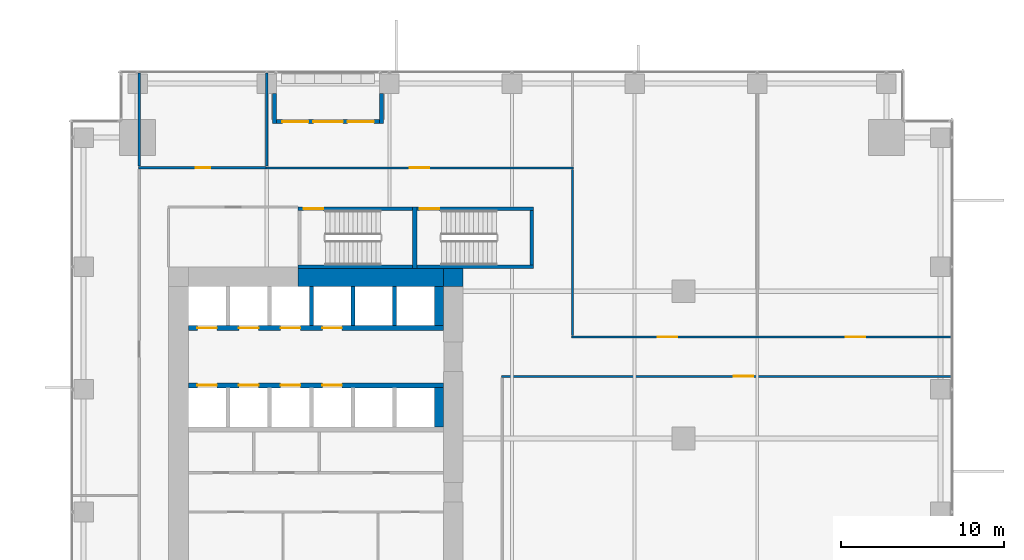
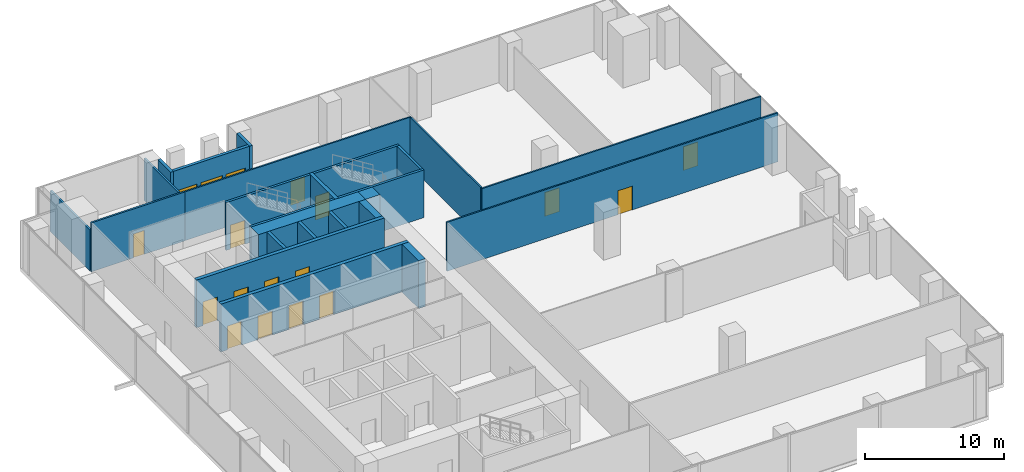
# One storey, part 29 of 33: 25 walls, 16 doors, 2 windows, 18 openings.
"""IFC4 building model written with IfcOpenShell, lengths in metres."""

from ifc_helpers import new_model, si_unit, direction, frame, frame_2d, origin, place, context, subcontext, project, spatial, rectangle, extrude, source, transform, mapped, material, layer, layer_set, type_object, element, fill, save


model = new_model("IFC4")

# Units and contexts
model_context = context("Model", 3, precision=1e-05, world=origin(), true_north=direction((0.0, 1.0)))
body_context = subcontext(model_context, "Body", "Model", "MODEL_VIEW")
ifc_project = project(units=[si_unit("LENGTHUNIT", "METRE"), si_unit("AREAUNIT", "SQUARE_METRE"), si_unit("VOLUMEUNIT", "CUBIC_METRE"), si_unit("PLANEANGLEUNIT", "RADIAN"), si_unit("MASSUNIT", "GRAM", prefix="KILO")], contexts=[model_context])

# Site, building, storey
site_placement = place(None, origin())
site = spatial("IfcSite", under=ifc_project, at=site_placement, CompositionType="ELEMENT")
building_placement = place(site_placement, origin())
building = spatial("IfcBuilding", under=site, at=building_placement, Name="Khomas Fold Tower", CompositionType="ELEMENT")
storey_placement = place(building_placement, frame((0.0, 0.0, 82.5)))
storey = spatial("IfcBuildingStorey", under=building, at=storey_placement, Name="L17", CompositionType="ELEMENT", Elevation=82.5)

# Walls
ifc_material_1 = material(Name="Concrete C70/85", Category="concrete")
ifc_layer_1 = layer(ifc_material_1, 1.10009765625)
ifc_layer_set_1 = layer_set([ifc_layer_1], Name="Concrete C70/85")
wall_type_1 = type_object("IfcWallType", Name="Core wall 1100", PredefinedType="SHEAR", material=ifc_layer_set_1)
shared_shape_1 = source(origin(), body_context, "Body", "SweptSolid", [
    extrude(rectangle(XDim=8.900146484375, YDim=1.10009765625, at=frame_2d((4.4501953125, 0.0))), origin(), (0.0, 0.0, 1.0), 4.199951171875),
])
wall_1_placement = place(storey_placement, frame((13.89990234375, 41.35009765625, 0.0), z_axis=(0.0, 0.0, 1.0), x_axis=(1.0, 0.0, 0.0)))
element("IfcWall", 1, at=wall_1_placement, inside=storey, type_object=wall_type_1, Name="Core wall CW-L-N-B2-1", PredefinedType="SHEAR", context=body_context, shape_type="MappedRepresentation", body=[
    mapped(shared_shape_1, transform((0.0, 0.0, 0.0))),
])
ifc_material_2 = material(Name="Concrete C70/85", Category="concrete")
ifc_layer_2 = layer(ifc_material_2, 1.10009765625)
ifc_layer_set_2 = layer_set([ifc_layer_2], Name="Concrete C70/85")
wall_type_2 = type_object("IfcWallType", Name="Core corner wall 1100", PredefinedType="SHEAR", material=ifc_layer_set_2)
shared_shape_2 = source(origin(), body_context, "Body", "SweptSolid", [
    extrude(rectangle(XDim=1.199951171875, YDim=1.10009765625, at=frame_2d((0.60009765625, 0.0))), origin(), (0.0, 0.0, 1.0), 4.199951171875),
])
wall_2_placement = place(storey_placement, frame((22.800048828125, 41.35009765625, 0.0), z_axis=(0.0, 0.0, 1.0), x_axis=(1.0, 0.0, 0.0)))
element("IfcWall", 2, at=wall_2_placement, inside=storey, type_object=wall_type_2, Name="Core wall CW-L-NE-B2", PredefinedType="SHEAR", context=body_context, shape_type="MappedRepresentation", body=[
    mapped(shared_shape_2, transform((0.0, 0.0, 0.0))),
])

# Wall, opening, door
ifc_material_3 = material(Name="Concrete C50/60", Category="concrete")
ifc_layer_3 = layer(ifc_material_3, 0.199951171875)
ifc_layer_set_3 = layer_set([ifc_layer_3], Name="Concrete C50/60")
wall_type_3 = type_object("IfcWallType", Name="Stair wall 200", PredefinedType="SHEAR", material=ifc_layer_set_3)
shared_shape_3 = source(origin(), body_context, "Body", "SweptSolid", [
    extrude(rectangle(XDim=7.0, YDim=0.199951171875, at=frame_2d((3.5, 0.0))), origin(), (0.0, 0.0, 1.0), 4.199951171875),
])
wall_3_placement = place(storey_placement, frame((13.89990234375, 45.550048828125, 0.0), z_axis=(0.0, 0.0, 1.0), x_axis=(1.0, 0.0, 0.0)))
wall_3 = element("IfcWall", 3, at=wall_3_placement, inside=storey, type_object=wall_type_3, Name="Stair wall SW-ST1-N", PredefinedType="SHEAR", context=body_context, shape_type="MappedRepresentation", body=[
    mapped(shared_shape_3, transform((0.0, 0.0, 0.0))),
])
shared_shape_4 = source(origin(), body_context, "Body", "SweptSolid", [
    extrude(rectangle(XDim=1.199951171875, YDim=2.10009765625, at=frame_2d((0.60009765625, 1.050048828125))), frame((0.0, 0.10986328125, 0.0), z_axis=(0.0, -1.0, 0.0), x_axis=(1.0, 0.0, 0.0)), (0.0, 0.0, 1.0), 0.219970703125),
])
opening_1_placement = place(wall_3_placement, frame((0.35009765625, 0.0, 0.0)))
opening_1 = element("IfcOpeningElement", 4, at=opening_1_placement, cuts=wall_3, Name="Opening SD-ST1", PredefinedType="OPENING", context=body_context, shape_type="MappedRepresentation", body=[
    mapped(shared_shape_4, transform((0.0, 0.0, 0.0))),
])
ifc_material_4 = material(Name="Steel door leaf", Category="steel")
door_type_1 = type_object("IfcDoorType", Name="Stair door 1200x2100 left-hand", OperationType="SINGLE_SWING_LEFT", PredefinedType="DOOR", material=ifc_material_4)
shared_shape_5 = source(origin(), body_context, "Body", "SweptSolid", [
    extrude(rectangle(XDim=1.199951171875, YDim=2.10009765625, at=frame_2d((0.60009765625, 1.050048828125))), frame((0.0, 0.02490234375, 0.0), z_axis=(0.0, -1.0, 0.0), x_axis=(1.0, 0.0, 0.0)), (0.0, 0.0, 1.0), 0.050048828125),
])
door_1_placement = place(opening_1_placement, origin())
door_1 = element("IfcDoor", 5, at=door_1_placement, inside=storey, type_object=door_type_1, Name="Stair door", OperationType="SINGLE_SWING_LEFT", OverallHeight=2.10009765625, OverallWidth=1.199951171875, PredefinedType="DOOR", context=body_context, shape_type="MappedRepresentation", body=[
    mapped(shared_shape_5, transform((0.0, 0.0, 0.0))),
])
fill(opening_1, door_1)

# Wall
wall_4_placement = place(storey_placement, frame((13.89990234375, 42.0, 0.0), z_axis=(0.0, 0.0, 1.0), x_axis=(1.0, 0.0, 0.0)))
element("IfcWall", 6, at=wall_4_placement, inside=storey, type_object=wall_type_3, Name="Stair wall SW-ST1-S", PredefinedType="SHEAR", context=body_context, shape_type="MappedRepresentation", body=[
    mapped(shared_shape_3, transform((0.0, 0.0, 0.0))),
])

# Wall, opening, door
shared_shape_6 = source(origin(), body_context, "Body", "SweptSolid", [
    extrude(rectangle(XDim=7.10009765625, YDim=0.199951171875, at=frame_2d((3.550048828125, 0.0))), origin(), (0.0, 0.0, 1.0), 4.199951171875),
])
wall_5_placement = place(storey_placement, frame((21.199951171875, 45.550048828125, 0.0), z_axis=(0.0, 0.0, 1.0), x_axis=(1.0, 0.0, 0.0)))
wall_5 = element("IfcWall", 7, at=wall_5_placement, inside=storey, type_object=wall_type_3, Name="Stair wall SW-ST3-N", PredefinedType="SHEAR", context=body_context, shape_type="MappedRepresentation", body=[
    mapped(shared_shape_6, transform((0.0, 0.0, 0.0))),
])
opening_2_placement = place(wall_5_placement, frame((0.14990234375, 0.0, 0.0)))
opening_2 = element("IfcOpeningElement", 8, at=opening_2_placement, cuts=wall_5, Name="Opening SD-ST3", PredefinedType="OPENING", context=body_context, shape_type="MappedRepresentation", body=[
    mapped(shared_shape_4, transform((0.0, 0.0, 0.0))),
])
door_2_placement = place(opening_2_placement, origin())
door_2 = element("IfcDoor", 9, at=door_2_placement, inside=storey, type_object=door_type_1, Name="Stair door", OperationType="SINGLE_SWING_LEFT", OverallHeight=2.10009765625, OverallWidth=1.199951171875, PredefinedType="DOOR", context=body_context, shape_type="MappedRepresentation", body=[
    mapped(shared_shape_5, transform((0.0, 0.0, 0.0))),
])
fill(opening_2, door_2)

# Walls
wall_6_placement = place(storey_placement, frame((21.199951171875, 42.0, 0.0), z_axis=(0.0, 0.0, 1.0), x_axis=(1.0, 0.0, 0.0)))
element("IfcWall", 10, at=wall_6_placement, inside=storey, type_object=wall_type_3, Name="Stair wall SW-ST3-S", PredefinedType="SHEAR", context=body_context, shape_type="MappedRepresentation", body=[
    mapped(shared_shape_6, transform((0.0, 0.0, 0.0))),
])
ifc_material_5 = material(Name="Concrete C50/60", Category="concrete")
ifc_layer_4 = layer(ifc_material_5, 0.300048828125)
ifc_layer_set_4 = layer_set([ifc_layer_4], Name="Concrete C50/60")
wall_type_4 = type_object("IfcWallType", Name="Stair wall 300", PredefinedType="SHEAR", material=ifc_layer_set_4)
shared_shape_7 = source(origin(), body_context, "Body", "SweptSolid", [
    extrude(rectangle(XDim=3.75, YDim=0.300048828125, at=frame_2d((1.875, 0.0))), origin(), (0.0, 0.0, 1.0), 4.199951171875),
])
wall_7_placement = place(storey_placement, frame((21.050048828125, 41.89990234375, 0.0), z_axis=(0.0, 0.0, 1.0), x_axis=(0.0, 1.0, 0.0)))
element("IfcWall", 11, at=wall_7_placement, inside=storey, type_object=wall_type_4, Name="Stair wall SW-ST1-E", PredefinedType="SHEAR", context=body_context, shape_type="MappedRepresentation", body=[
    mapped(shared_shape_7, transform((0.0, 0.0, 0.0))),
])
shared_shape_8 = source(origin(), body_context, "Body", "SweptSolid", [
    extrude(rectangle(XDim=3.349853515625, YDim=0.199951171875, at=frame_2d((1.6748046875, 0.0))), origin(), (0.0, 0.0, 1.0), 4.199951171875),
])
wall_8_placement = place(storey_placement, frame((28.199951171875, 42.10009765625, 0.0), z_axis=(0.0, 0.0, 1.0), x_axis=(0.0, 1.0, 0.0)))
element("IfcWall", 12, at=wall_8_placement, inside=storey, type_object=wall_type_3, Name="Stair wall SW-ST3-E", PredefinedType="SHEAR", context=body_context, shape_type="MappedRepresentation", body=[
    mapped(shared_shape_8, transform((0.0, 0.0, 0.0))),
])

# Wall, openings, doors
ifc_material_6 = material(Name="Concrete C50/60", Category="concrete")
ifc_layer_5 = layer(ifc_material_6, 0.300048828125)
ifc_layer_set_5 = layer_set([ifc_layer_5], Name="Concrete C50/60")
wall_type_5 = type_object("IfcWallType", Name="Shaft wall 300", PredefinedType="STANDARD", material=ifc_layer_set_5)
shared_shape_9 = source(origin(), body_context, "Body", "SweptSolid", [
    extrude(rectangle(XDim=15.60009765625, YDim=0.300048828125, at=frame_2d((7.800048828125, 0.0))), origin(), (0.0, 0.0, 1.0), 4.199951171875),
])
wall_9_placement = place(storey_placement, frame((7.199951171875, 38.25, 0.0), z_axis=(0.0, 0.0, 1.0), x_axis=(1.0, 0.0, 0.0)))
wall_9 = element("IfcWall", 13, at=wall_9_placement, inside=storey, type_object=wall_type_5, Name="Core wall SW-LRN-F", PredefinedType="STANDARD", context=body_context, shape_type="MappedRepresentation", body=[
    mapped(shared_shape_9, transform((0.0, 0.0, 0.0))),
])
shared_shape_10 = source(origin(), body_context, "Body", "SweptSolid", [
    extrude(rectangle(XDim=1.199951171875, YDim=2.10009765625, at=frame_2d((0.60009765625, 1.050048828125))), frame((0.0, 0.159912109375, 0.0), z_axis=(0.0, -1.0, 0.0), x_axis=(1.0, 0.0, 0.0)), (0.0, 0.0, 1.0), 0.320068359375),
])
opening_3_placement = place(wall_9_placement, frame((0.550048828125, 0.0, 0.0)))
opening_3 = element("IfcOpeningElement", 14, at=opening_3_placement, cuts=wall_9, Name="Opening LD-LR5", PredefinedType="OPENING", context=body_context, shape_type="MappedRepresentation", body=[
    mapped(shared_shape_10, transform((0.0, 0.0, 0.0))),
])
opening_4_placement = place(wall_9_placement, frame((3.10009765625, 0.0, 0.0)))
opening_4 = element("IfcOpeningElement", 15, at=opening_4_placement, cuts=wall_9, Name="Opening LD-LR6", PredefinedType="OPENING", context=body_context, shape_type="MappedRepresentation", body=[
    mapped(shared_shape_10, transform((0.0, 0.0, 0.0))),
])
opening_5_placement = place(wall_9_placement, frame((5.64990234375, 0.0, 0.0)))
opening_5 = element("IfcOpeningElement", 16, at=opening_5_placement, cuts=wall_9, Name="Opening LD-LR7", PredefinedType="OPENING", context=body_context, shape_type="MappedRepresentation", body=[
    mapped(shared_shape_10, transform((0.0, 0.0, 0.0))),
])
opening_6_placement = place(wall_9_placement, frame((8.199951171875, 0.0, 0.0)))
opening_6 = element("IfcOpeningElement", 17, at=opening_6_placement, cuts=wall_9, Name="Opening LD-LR8", PredefinedType="OPENING", context=body_context, shape_type="MappedRepresentation", body=[
    mapped(shared_shape_10, transform((0.0, 0.0, 0.0))),
])
ifc_material_7 = material(Name="Steel door leaf", Category="steel")
door_type_2 = type_object("IfcDoorType", Name="Landing door 1200x2100", OperationType="DOUBLE_DOOR_SLIDING", PredefinedType="DOOR", material=ifc_material_7)
door_3_placement = place(opening_3_placement, origin())
door_3 = element("IfcDoor", 18, at=door_3_placement, inside=storey, type_object=door_type_2, Name="Lift landing door", OperationType="DOUBLE_DOOR_SLIDING", OverallHeight=2.10009765625, OverallWidth=1.199951171875, PredefinedType="DOOR", context=body_context, shape_type="MappedRepresentation", body=[
    mapped(shared_shape_5, transform((0.0, 0.0, 0.0))),
])
fill(opening_3, door_3)
door_4_placement = place(opening_4_placement, origin())
door_4 = element("IfcDoor", 19, at=door_4_placement, inside=storey, type_object=door_type_2, Name="Lift landing door", OperationType="DOUBLE_DOOR_SLIDING", OverallHeight=2.10009765625, OverallWidth=1.199951171875, PredefinedType="DOOR", context=body_context, shape_type="MappedRepresentation", body=[
    mapped(shared_shape_5, transform((0.0, 0.0, 0.0))),
])
fill(opening_4, door_4)
door_5_placement = place(opening_5_placement, origin())
door_5 = element("IfcDoor", 20, at=door_5_placement, inside=storey, type_object=door_type_2, Name="Lift landing door", OperationType="DOUBLE_DOOR_SLIDING", OverallHeight=2.10009765625, OverallWidth=1.199951171875, PredefinedType="DOOR", context=body_context, shape_type="MappedRepresentation", body=[
    mapped(shared_shape_5, transform((0.0, 0.0, 0.0))),
])
fill(opening_5, door_5)
door_6_placement = place(opening_6_placement, origin())
door_6 = element("IfcDoor", 21, at=door_6_placement, inside=storey, type_object=door_type_2, Name="Lift landing door", OperationType="DOUBLE_DOOR_SLIDING", OverallHeight=2.10009765625, OverallWidth=1.199951171875, PredefinedType="DOOR", context=body_context, shape_type="MappedRepresentation", body=[
    mapped(shared_shape_5, transform((0.0, 0.0, 0.0))),
])
fill(opening_6, door_6)

wall_10_placement = place(storey_placement, frame((7.199951171875, 34.75, 0.0), z_axis=(0.0, 0.0, 1.0), x_axis=(1.0, 0.0, 0.0)))
wall_10 = element("IfcWall", 22, at=wall_10_placement, inside=storey, type_object=wall_type_5, Name="Core wall SW-LRS-F", PredefinedType="STANDARD", context=body_context, shape_type="MappedRepresentation", body=[
    mapped(shared_shape_9, transform((0.0, 0.0, 0.0))),
])
opening_7_placement = place(wall_10_placement, frame((0.550048828125, 0.0, 0.0)))
opening_7 = element("IfcOpeningElement", 23, at=opening_7_placement, cuts=wall_10, Name="Opening LD-LR1", PredefinedType="OPENING", context=body_context, shape_type="MappedRepresentation", body=[
    mapped(shared_shape_10, transform((0.0, 0.0, 0.0))),
])
opening_8_placement = place(wall_10_placement, frame((3.10009765625, 0.0, 0.0)))
opening_8 = element("IfcOpeningElement", 24, at=opening_8_placement, cuts=wall_10, Name="Opening LD-LR2", PredefinedType="OPENING", context=body_context, shape_type="MappedRepresentation", body=[
    mapped(shared_shape_10, transform((0.0, 0.0, 0.0))),
])
opening_9_placement = place(wall_10_placement, frame((5.64990234375, 0.0, 0.0)))
opening_9 = element("IfcOpeningElement", 25, at=opening_9_placement, cuts=wall_10, Name="Opening LD-LR3", PredefinedType="OPENING", context=body_context, shape_type="MappedRepresentation", body=[
    mapped(shared_shape_10, transform((0.0, 0.0, 0.0))),
])
opening_10_placement = place(wall_10_placement, frame((8.199951171875, 0.0, 0.0)))
opening_10 = element("IfcOpeningElement", 26, at=opening_10_placement, cuts=wall_10, Name="Opening LD-LR4", PredefinedType="OPENING", context=body_context, shape_type="MappedRepresentation", body=[
    mapped(shared_shape_10, transform((0.0, 0.0, 0.0))),
])
door_7_placement = place(opening_7_placement, origin())
door_7 = element("IfcDoor", 27, at=door_7_placement, inside=storey, type_object=door_type_2, Name="Lift landing door", OperationType="DOUBLE_DOOR_SLIDING", OverallHeight=2.10009765625, OverallWidth=1.199951171875, PredefinedType="DOOR", context=body_context, shape_type="MappedRepresentation", body=[
    mapped(shared_shape_5, transform((0.0, 0.0, 0.0))),
])
fill(opening_7, door_7)
door_8_placement = place(opening_8_placement, origin())
door_8 = element("IfcDoor", 28, at=door_8_placement, inside=storey, type_object=door_type_2, Name="Lift landing door", OperationType="DOUBLE_DOOR_SLIDING", OverallHeight=2.10009765625, OverallWidth=1.199951171875, PredefinedType="DOOR", context=body_context, shape_type="MappedRepresentation", body=[
    mapped(shared_shape_5, transform((0.0, 0.0, 0.0))),
])
fill(opening_8, door_8)
door_9_placement = place(opening_9_placement, origin())
door_9 = element("IfcDoor", 29, at=door_9_placement, inside=storey, type_object=door_type_2, Name="Lift landing door", OperationType="DOUBLE_DOOR_SLIDING", OverallHeight=2.10009765625, OverallWidth=1.199951171875, PredefinedType="DOOR", context=body_context, shape_type="MappedRepresentation", body=[
    mapped(shared_shape_5, transform((0.0, 0.0, 0.0))),
])
fill(opening_9, door_9)
door_10_placement = place(opening_10_placement, origin())
door_10 = element("IfcDoor", 30, at=door_10_placement, inside=storey, type_object=door_type_2, Name="Lift landing door", OperationType="DOUBLE_DOOR_SLIDING", OverallHeight=2.10009765625, OverallWidth=1.199951171875, PredefinedType="DOOR", context=body_context, shape_type="MappedRepresentation", body=[
    mapped(shared_shape_5, transform((0.0, 0.0, 0.0))),
])
fill(opening_10, door_10)

# Walls
ifc_material_8 = material(Name="Concrete C50/60", Category="concrete")
ifc_layer_6 = layer(ifc_material_8, 0.25)
ifc_layer_set_6 = layer_set([ifc_layer_6], Name="Concrete C50/60")
wall_type_6 = type_object("IfcWallType", Name="Shaft wall 250", PredefinedType="STANDARD", material=ifc_layer_set_6)
shared_shape_11 = source(origin(), body_context, "Body", "SweptSolid", [
    extrude(rectangle(XDim=2.400146484375, YDim=0.25, at=frame_2d((1.2001953125, 0.0))), origin(), (0.0, 0.0, 1.0), 4.199951171875),
])
for number, where, z_axis, x_axis, name in (
    (31, (14.72509765625, 38.39990234375, 0.0), (0.0, 0.0, 1.0), (0.0, 1.0, 0.0), "Core wall SW-LRN-P3"),
    (32, (17.27490234375, 38.39990234375, 0.0), (0.0, 0.0, 1.0), (0.0, 1.0, 0.0), "Core wall SW-LRN-P4"),
    (33, (19.824951171875, 38.39990234375, 0.0), (0.0, 0.0, 1.0), (0.0, 1.0, 0.0), "Core wall SW-LRN-P5"),
):
    element("IfcWall", number, at=place(storey_placement, frame(where, z_axis=z_axis, x_axis=x_axis)), inside=storey, type_object=wall_type_6, Name=name, PredefinedType="STANDARD", context=body_context, shape_type="MappedRepresentation", body=[
        mapped(shared_shape_11, transform((0.0, 0.0, 0.0))),
    ])
ifc_material_9 = material(Name="Concrete C50/60", Category="concrete")
ifc_layer_7 = layer(ifc_material_9, 0.550048828125)
ifc_layer_set_7 = layer_set([ifc_layer_7], Name="Concrete C50/60")
wall_type_7 = type_object("IfcWallType", Name="Shaft wall 550", PredefinedType="STANDARD", material=ifc_layer_set_7)
shared_shape_12 = source(origin(), body_context, "Body", "SweptSolid", [
    extrude(rectangle(XDim=2.400146484375, YDim=0.550048828125, at=frame_2d((1.2001953125, 0.0))), origin(), (0.0, 0.0, 1.0), 4.199951171875),
])
for number, where, z_axis, x_axis, name in (
    (34, (22.52490234375, 38.39990234375, 0.0), (0.0, 0.0, 1.0), (0.0, 1.0, 0.0), "Core wall SW-LRN-PE"),
    (35, (22.52490234375, 32.199951171875, 0.0), (0.0, 0.0, 1.0), (0.0, 1.0, 0.0), "Core wall SW-LRS-PE"),
):
    element("IfcWall", number, at=place(storey_placement, frame(where, z_axis=z_axis, x_axis=x_axis)), inside=storey, type_object=wall_type_7, Name=name, PredefinedType="STANDARD", context=body_context, shape_type="MappedRepresentation", body=[
        mapped(shared_shape_12, transform((0.0, 0.0, 0.0))),
    ])

# Wall, openings, windows, door
ifc_material_10 = material(Name="Natural stone", Category="masonry")
ifc_layer_8 = layer(ifc_material_10, 0.0400390625)
ifc_material_11 = material(Name="Mineral wool insulation", Category="insulation")
ifc_layer_9 = layer(ifc_material_11, 0.10009765625)
ifc_material_12 = material(Name="Masonry", Category="masonry")
ifc_layer_10 = layer(ifc_material_12, 0.110107421875)
ifc_layer_set_8 = layer_set([ifc_layer_8, ifc_layer_9, ifc_layer_10], Name="Stone-faced insulated masonry")
wall_type_8 = type_object("IfcWallType", Name="BL-Balcony wall", PredefinedType="SOLIDWALL", material=ifc_layer_set_8)
shared_shape_13 = source(origin(), body_context, "Body", "SweptSolid", [
    extrude(rectangle(XDim=6.2998046875, YDim=0.25, at=frame_2d((3.14990234375, 0.0))), origin(), (0.0, 0.0, 1.0), 4.199951171875),
])
wall_11_placement = place(storey_placement, frame((12.60009765625, 50.875, 0.0), z_axis=(0.0, 0.0, 1.0), x_axis=(1.0, 0.0, 0.0)))
wall_11 = element("IfcWall", 36, at=wall_11_placement, inside=storey, type_object=wall_type_8, Name="Balcony wall BAL-L17-N1", PredefinedType="SOLIDWALL", context=body_context, shape_type="MappedRepresentation", body=[
    mapped(shared_shape_13, transform((0.0, 0.0, 0.0))),
])
shared_shape_14 = source(origin(), body_context, "Body", "SweptSolid", [
    extrude(rectangle(XDim=1.60009765625, YDim=2.39990234375, at=frame_2d((0.800048828125, 1.199951171875))), frame((0.0, 0.135009765625, 0.0), z_axis=(0.0, -1.0, 0.0), x_axis=(1.0, 0.0, 0.0)), (0.0, 0.0, 1.0), 0.27001953125),
])
opening_11_placement = place(wall_11_placement, frame((0.35009765625, 0.0, 0.0)))
opening_11 = element("IfcOpeningElement", 37, at=opening_11_placement, cuts=wall_11, Name="Opening BL-W1", PredefinedType="OPENING", context=body_context, shape_type="MappedRepresentation", body=[
    mapped(shared_shape_14, transform((0.0, 0.0, 0.0))),
])
opening_12_placement = place(wall_11_placement, frame((4.35009765625, 0.0, 0.0)))
opening_12 = element("IfcOpeningElement", 38, at=opening_12_placement, cuts=wall_11, Name="Opening BL-W1", PredefinedType="OPENING", context=body_context, shape_type="MappedRepresentation", body=[
    mapped(shared_shape_14, transform((0.0, 0.0, 0.0))),
])
shared_shape_15 = source(origin(), body_context, "Body", "SweptSolid", [
    extrude(rectangle(XDim=1.800048828125, YDim=2.39990234375, at=frame_2d((0.89990234375, 1.199951171875))), frame((0.0, 0.135009765625, 0.0), z_axis=(0.0, -1.0, 0.0), x_axis=(1.0, 0.0, 0.0)), (0.0, 0.0, 1.0), 0.27001953125),
])
opening_13_placement = place(wall_11_placement, frame((2.25, 0.0, 0.0)))
opening_13 = element("IfcOpeningElement", 39, at=opening_13_placement, cuts=wall_11, Name="Opening BD172", PredefinedType="OPENING", context=body_context, shape_type="MappedRepresentation", body=[
    mapped(shared_shape_15, transform((0.0, 0.0, 0.0))),
])
ifc_material_13 = material(Name="Aluminium framed double glazing", Category="aluminium")
window_type = type_object("IfcWindowType", Name="BL-Fixed glazing 1600 x 2400", PartitioningType="SINGLE_PANEL", PredefinedType="WINDOW", material=ifc_material_13)
shared_shape_16 = source(origin(), body_context, "Body", "SweptSolid", [
    extrude(rectangle(XDim=1.60009765625, YDim=2.39990234375, at=frame_2d((0.800048828125, 1.199951171875))), frame((0.0, 0.030029296875, 0.0), z_axis=(0.0, -1.0, 0.0), x_axis=(1.0, 0.0, 0.0)), (0.0, 0.0, 1.0), 0.06005859375),
])
window_1_placement = place(opening_11_placement, origin())
window_1 = element("IfcWindow", 40, at=window_1_placement, inside=storey, type_object=window_type, Name="Balcony glazing BAL-L17-N1-1", OverallHeight=2.39990234375, OverallWidth=1.60009765625, PartitioningType="SINGLE_PANEL", PredefinedType="WINDOW", context=body_context, shape_type="MappedRepresentation", body=[
    mapped(shared_shape_16, transform((0.0, 0.0, 0.0))),
])
fill(opening_11, window_1)
window_2_placement = place(opening_12_placement, origin())
window_2 = element("IfcWindow", 41, at=window_2_placement, inside=storey, type_object=window_type, Name="Balcony glazing BAL-L17-N1-2", OverallHeight=2.39990234375, OverallWidth=1.60009765625, PartitioningType="SINGLE_PANEL", PredefinedType="WINDOW", context=body_context, shape_type="MappedRepresentation", body=[
    mapped(shared_shape_16, transform((0.0, 0.0, 0.0))),
])
fill(opening_12, window_2)
ifc_material_14 = material(Name="Aluminium framed double glazing", Category="aluminium")
door_type_3 = type_object("IfcDoorType", Name="BL-Glazed balcony door 1800 x 2400", OperationType="DOUBLE_DOOR_DOUBLE_SWING", PredefinedType="DOOR", material=ifc_material_14)
shared_shape_17 = source(origin(), body_context, "Body", "SweptSolid", [
    extrude(rectangle(XDim=1.800048828125, YDim=2.39990234375, at=frame_2d((0.89990234375, 1.199951171875))), frame((0.0, 0.02490234375, 0.0), z_axis=(0.0, -1.0, 0.0), x_axis=(1.0, 0.0, 0.0)), (0.0, 0.0, 1.0), 0.050048828125),
])
door_11_placement = place(opening_13_placement, origin())
door_11 = element("IfcDoor", 42, at=door_11_placement, inside=storey, type_object=door_type_3, Name="Balcony door BD172", OperationType="DOUBLE_DOOR_DOUBLE_SWING", OverallHeight=2.39990234375, OverallWidth=1.800048828125, PredefinedType="DOOR", context=body_context, shape_type="MappedRepresentation", body=[
    mapped(shared_shape_17, transform((0.0, 0.0, 0.0))),
])
fill(opening_13, door_11)

# Walls
shared_shape_18 = source(origin(), body_context, "Body", "SweptSolid", [
    extrude(rectangle(XDim=1.85009765625, YDim=0.25, at=frame_2d((0.925048828125, 0.0))), origin(), (0.0, 0.0, 1.0), 4.199951171875),
])
for number, where, z_axis, x_axis, name in (
    (43, (12.47509765625, 52.60009765625, 0.0), (0.0, 0.0, 1.0), (0.0, -1.0, 0.0), "Balcony return wall BAL-L17-N1-lo"),
    (44, (19.02490234375, 52.60009765625, 0.0), (0.0, 0.0, 1.0), (0.0, -1.0, 0.0), "Balcony return wall BAL-L17-N1-hi"),
):
    element("IfcWall", number, at=place(storey_placement, frame(where, z_axis=z_axis, x_axis=x_axis)), inside=storey, type_object=wall_type_8, Name=name, PredefinedType="SOLIDWALL", context=body_context, shape_type="MappedRepresentation", body=[
        mapped(shared_shape_18, transform((0.0, 0.0, 0.0))),
    ])

# Wall, opening, door
ifc_material_15 = material(Name="Plasterboard partition")
ifc_layer_11 = layer(ifc_material_15, 0.125)
ifc_layer_set_9 = layer_set([ifc_layer_11], Name="Plasterboard partition")
wall_type_9 = type_object("IfcWallType", Name="Partition PW2 125", PredefinedType="PARTITIONING", material=ifc_layer_set_9)
shared_shape_19 = source(origin(), body_context, "Body", "SweptSolid", [
    extrude(rectangle(XDim=27.5, YDim=0.125, at=frame_2d((13.75, 0.0))), origin(), (0.0, 0.0, 1.0), 4.300048828125),
])
wall_12_placement = place(storey_placement, frame((26.35009765625, 35.300048828125, 0.0), z_axis=(0.0, 0.0, 1.0), x_axis=(1.0, 0.0, 0.0)))
wall_12 = element("IfcWall", 45, at=wall_12_placement, inside=storey, type_object=wall_type_9, Name="Partition", PredefinedType="PARTITIONING", context=body_context, shape_type="MappedRepresentation", body=[
    mapped(shared_shape_19, transform((0.0, 0.0, 0.0))),
])
shared_shape_20 = source(origin(), body_context, "Body", "SweptSolid", [
    extrude(rectangle(XDim=1.199951171875, YDim=2.10009765625, at=frame_2d((0.60009765625, 1.050048828125))), frame((0.0, 0.072509765625, 0.0), z_axis=(0.0, -1.0, 0.0), x_axis=(1.0, 0.0, 0.0)), (0.0, 0.0, 1.0), 0.14501953125),
])
opening_14_placement = place(wall_12_placement, frame((14.199951171875, 0.0, 0.0)))
opening_14 = element("IfcOpeningElement", 46, at=opening_14_placement, cuts=wall_12, Name="Opening 0013", PredefinedType="OPENING", context=body_context, shape_type="MappedRepresentation", body=[
    mapped(shared_shape_20, transform((0.0, 0.0, 0.0))),
])
ifc_material_16 = material(Name="Timber door leaf", Category="wood")
door_type_4 = type_object("IfcDoorType", Name="Door 1200x2100 left-hand", OperationType="SINGLE_SWING_LEFT", PredefinedType="DOOR", material=ifc_material_16)
door_12_placement = place(opening_14_placement, origin())
door_12 = element("IfcDoor", 47, at=door_12_placement, inside=storey, type_object=door_type_4, Name="Door", OperationType="SINGLE_SWING_LEFT", OverallHeight=2.10009765625, OverallWidth=1.199951171875, PredefinedType="DOOR", context=body_context, shape_type="MappedRepresentation", body=[
    mapped(shared_shape_5, transform((0.0, 0.0, 0.0))),
])
fill(opening_14, door_12)

# Wall, openings, doors
shared_shape_21 = source(origin(), body_context, "Body", "SweptSolid", [
    extrude(rectangle(XDim=23.2001953125, YDim=0.125, at=frame_2d((11.60009765625, 0.0))), origin(), (0.0, 0.0, 1.0), 4.300048828125),
])
wall_13_placement = place(storey_placement, frame((30.64990234375, 37.699951171875, 0.0), z_axis=(0.0, 0.0, 1.0), x_axis=(1.0, 0.0, 0.0)))
wall_13 = element("IfcWall", 48, at=wall_13_placement, inside=storey, type_object=wall_type_9, Name="Partition", PredefinedType="PARTITIONING", context=body_context, shape_type="MappedRepresentation", body=[
    mapped(shared_shape_21, transform((0.0, 0.0, 0.0))),
])
opening_15_placement = place(wall_13_placement, frame((5.25, 0.0, 0.0)))
opening_15 = element("IfcOpeningElement", 49, at=opening_15_placement, cuts=wall_13, Name="Opening 0013", PredefinedType="OPENING", context=body_context, shape_type="MappedRepresentation", body=[
    mapped(shared_shape_20, transform((0.0, 0.0, 0.0))),
])
opening_16_placement = place(wall_13_placement, frame((16.75, 0.0, 0.0)))
opening_16 = element("IfcOpeningElement", 50, at=opening_16_placement, cuts=wall_13, Name="Opening 0001", PredefinedType="OPENING", context=body_context, shape_type="MappedRepresentation", body=[
    mapped(shared_shape_20, transform((0.0, 0.0, 0.0))),
])
door_13_placement = place(opening_15_placement, origin())
door_13 = element("IfcDoor", 51, at=door_13_placement, inside=storey, type_object=door_type_4, Name="Door", OperationType="SINGLE_SWING_LEFT", OverallHeight=2.10009765625, OverallWidth=1.199951171875, PredefinedType="DOOR", context=body_context, shape_type="MappedRepresentation", body=[
    mapped(shared_shape_5, transform((0.0, 0.0, 0.0))),
])
fill(opening_15, door_13)
ifc_material_17 = material(Name="Timber door leaf", Category="wood")
door_type_5 = type_object("IfcDoorType", Name="Door 1200x2100 right-hand", OperationType="SINGLE_SWING_RIGHT", PredefinedType="DOOR", material=ifc_material_17)
door_14_placement = place(opening_16_placement, origin())
door_14 = element("IfcDoor", 52, at=door_14_placement, inside=storey, type_object=door_type_5, Name="Door", OperationType="SINGLE_SWING_RIGHT", OverallHeight=2.10009765625, OverallWidth=1.199951171875, PredefinedType="DOOR", context=body_context, shape_type="MappedRepresentation", body=[
    mapped(shared_shape_5, transform((0.0, 0.0, 0.0))),
])
fill(opening_16, door_14)

# Wall
shared_shape_22 = source(origin(), body_context, "Body", "SweptSolid", [
    extrude(rectangle(XDim=10.14990234375, YDim=0.125, at=frame_2d((5.074951171875, 0.0))), origin(), (0.0, 0.0, 1.0), 4.300048828125),
])
wall_14_placement = place(storey_placement, frame((30.699951171875, 37.800048828125, 0.0), z_axis=(0.0, 0.0, 1.0), x_axis=(0.0, 1.0, 0.0)))
element("IfcWall", 53, at=wall_14_placement, inside=storey, type_object=wall_type_9, Name="Partition", PredefinedType="PARTITIONING", context=body_context, shape_type="MappedRepresentation", body=[
    mapped(shared_shape_22, transform((0.0, 0.0, 0.0))),
])

# Wall, opening, door
ifc_material_18 = material(Name="Plasterboard fire partition")
ifc_layer_12 = layer(ifc_material_18, 0.14990234375)
ifc_layer_set_10 = layer_set([ifc_layer_12], Name="Plasterboard fire partition")
wall_type_10 = type_object("IfcWallType", Name="Plant room wall PW3 150", PredefinedType="PARTITIONING", material=ifc_layer_set_10)
shared_shape_23 = source(origin(), body_context, "Body", "SweptSolid", [
    extrude(rectangle(XDim=7.800048828125, YDim=0.14990234375, at=frame_2d((3.89990234375, 0.0))), origin(), (0.0, 0.0, 1.0), 4.300048828125),
])
wall_15_placement = place(storey_placement, frame((4.14990234375, 48.050048828125, 0.0), z_axis=(0.0, 0.0, 1.0), x_axis=(1.0, 0.0, 0.0)))
wall_15 = element("IfcWall", 54, at=wall_15_placement, inside=storey, type_object=wall_type_10, Name="Plant room wall", PredefinedType="PARTITIONING", context=body_context, shape_type="MappedRepresentation", body=[
    mapped(shared_shape_23, transform((0.0, 0.0, 0.0))),
])
shared_shape_24 = source(origin(), body_context, "Body", "SweptSolid", [
    extrude(rectangle(XDim=0.89990234375, YDim=2.10009765625, at=frame_2d((0.449951171875, 1.050048828125))), frame((0.0, 0.0849609375, 0.0), z_axis=(0.0, -1.0, 0.0), x_axis=(1.0, 0.0, 0.0)), (0.0, 0.0, 1.0), 0.169921875),
])
opening_17_placement = place(wall_15_placement, frame((3.5, 0.0, 0.0)))
opening_17 = element("IfcOpeningElement", 55, at=opening_17_placement, cuts=wall_15, Name="Opening 0002", PredefinedType="OPENING", context=body_context, shape_type="MappedRepresentation", body=[
    mapped(shared_shape_24, transform((0.0, 0.0, 0.0))),
])
ifc_material_19 = material(Name="Steel door leaf", Category="steel")
door_type_6 = type_object("IfcDoorType", Name="Plant room door 900x2100 left-hand", OperationType="SINGLE_SWING_LEFT", PredefinedType="DOOR", material=ifc_material_19)
shared_shape_25 = source(origin(), body_context, "Body", "SweptSolid", [
    extrude(rectangle(XDim=0.89990234375, YDim=2.10009765625, at=frame_2d((0.449951171875, 1.050048828125))), frame((0.0, 0.02490234375, 0.0), z_axis=(0.0, -1.0, 0.0), x_axis=(1.0, 0.0, 0.0)), (0.0, 0.0, 1.0), 0.050048828125),
])
door_15_placement = place(opening_17_placement, origin())
door_15 = element("IfcDoor", 56, at=door_15_placement, inside=storey, type_object=door_type_6, Name="Plant room door", OperationType="SINGLE_SWING_LEFT", OverallHeight=2.10009765625, OverallWidth=0.89990234375, PredefinedType="DOOR", context=body_context, shape_type="MappedRepresentation", body=[
    mapped(shared_shape_25, transform((0.0, 0.0, 0.0))),
])
fill(opening_17, door_15)

shared_shape_26 = source(origin(), body_context, "Body", "SweptSolid", [
    extrude(rectangle(XDim=18.800048828125, YDim=0.125, at=frame_2d((9.39990234375, 0.0))), origin(), (0.0, 0.0, 1.0), 4.300048828125),
])
wall_16_placement = place(storey_placement, frame((11.949951171875, 48.050048828125, 0.0), z_axis=(0.0, 0.0, 1.0), x_axis=(1.0, 0.0, 0.0)))
wall_16 = element("IfcWall", 57, at=wall_16_placement, inside=storey, type_object=wall_type_9, Name="Partition", PredefinedType="PARTITIONING", context=body_context, shape_type="MappedRepresentation", body=[
    mapped(shared_shape_26, transform((0.0, 0.0, 0.0))),
])
opening_18_placement = place(wall_16_placement, frame((8.800048828125, 0.0, 0.0)))
opening_18 = element("IfcOpeningElement", 58, at=opening_18_placement, cuts=wall_16, Name="Opening 0001", PredefinedType="OPENING", context=body_context, shape_type="MappedRepresentation", body=[
    mapped(shared_shape_20, transform((0.0, 0.0, 0.0))),
])
door_16_placement = place(opening_18_placement, origin())
door_16 = element("IfcDoor", 59, at=door_16_placement, inside=storey, type_object=door_type_5, Name="Door", OperationType="SINGLE_SWING_RIGHT", OverallHeight=2.10009765625, OverallWidth=1.199951171875, PredefinedType="DOOR", context=body_context, shape_type="MappedRepresentation", body=[
    mapped(shared_shape_5, transform((0.0, 0.0, 0.0))),
])
fill(opening_18, door_16)

# Walls
shared_shape_27 = source(origin(), body_context, "Body", "SweptSolid", [
    extrude(rectangle(XDim=5.7001953125, YDim=0.14990234375, at=frame_2d((2.85009765625, 0.0))), origin(), (0.0, 0.0, 1.0), 3.60009765625),
])
wall_17_placement = place(storey_placement, frame((4.199951171875, 48.14990234375, 0.0), z_axis=(0.0, 0.0, 1.0), x_axis=(0.0, 1.0, 0.0)))
element("IfcWall", 60, at=wall_17_placement, inside=storey, type_object=wall_type_10, Name="Plant room wall", PredefinedType="PARTITIONING", context=body_context, shape_type="MappedRepresentation", body=[
    mapped(shared_shape_27, transform((0.0, 0.0, 0.0))),
])
shared_shape_28 = source(origin(), body_context, "Body", "SweptSolid", [
    extrude(rectangle(XDim=5.7001953125, YDim=0.14990234375, at=frame_2d((2.85009765625, 0.0))), origin(), (0.0, 0.0, 1.0), 3.699951171875),
])
wall_18_placement = place(storey_placement, frame((12.0, 48.14990234375, 0.0), z_axis=(0.0, 0.0, 1.0), x_axis=(0.0, 1.0, 0.0)))
element("IfcWall", 61, at=wall_18_placement, inside=storey, type_object=wall_type_10, Name="Plant room wall", PredefinedType="PARTITIONING", context=body_context, shape_type="MappedRepresentation", body=[
    mapped(shared_shape_28, transform((0.0, 0.0, 0.0))),
])

save(model, "model.ifc")
